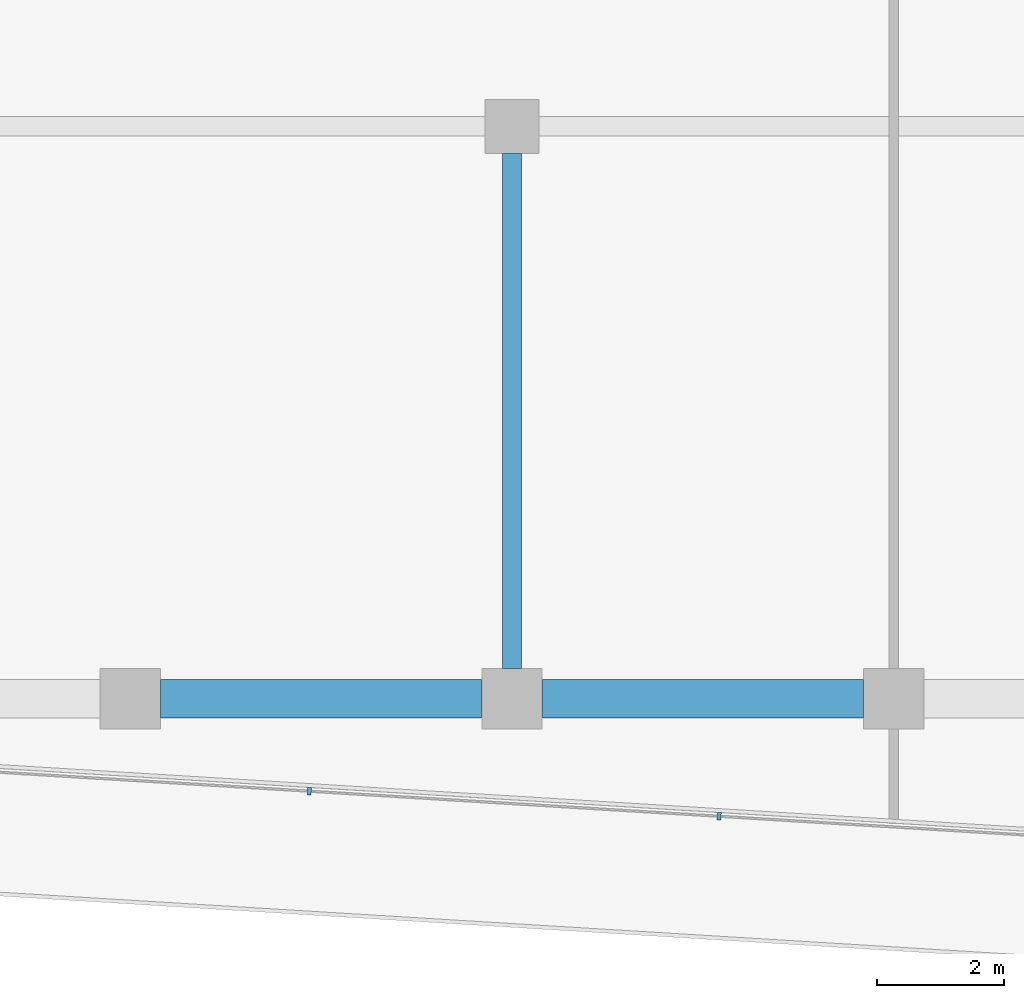
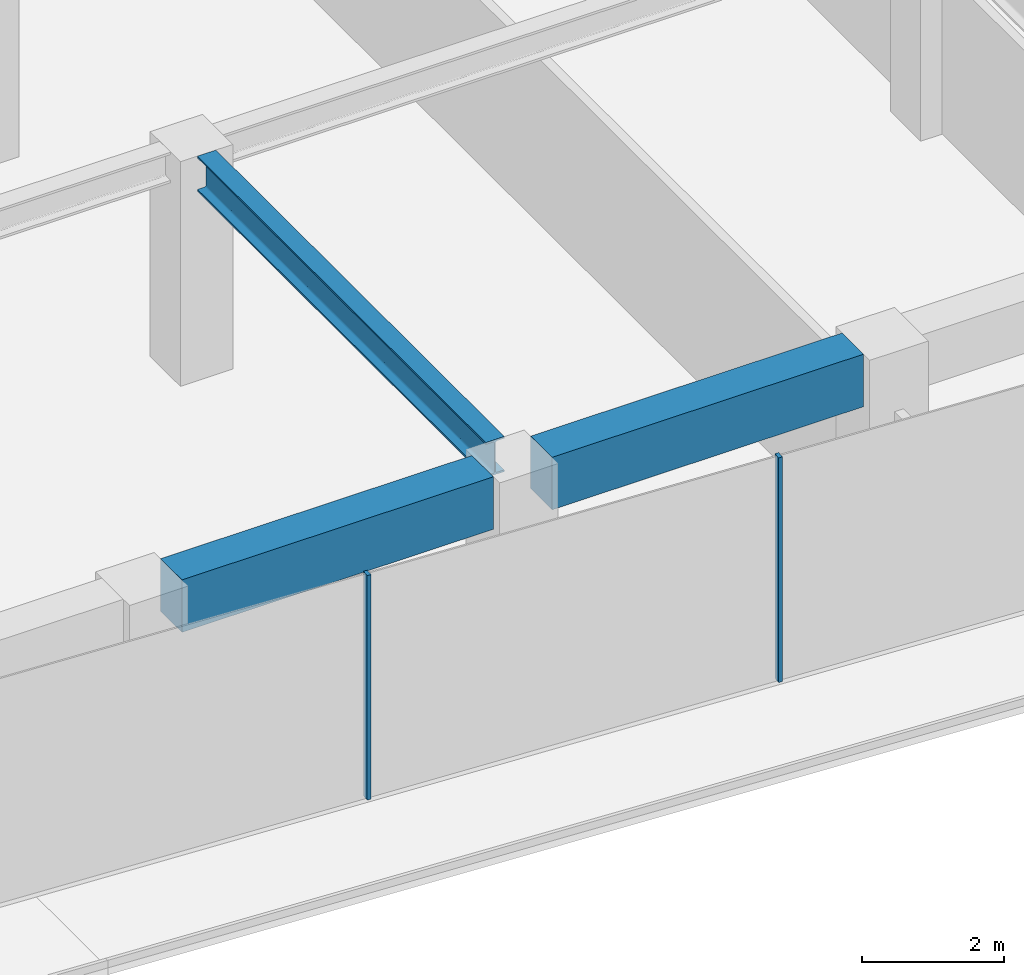
# One storey, part 6 of 27: 3 beams, 2 members, 1 element without a shape of its own.
"""IFC4 building model written with IfcOpenShell, lengths in metres."""

from ifc_helpers import new_model, si_unit, direction, frame, origin, origin_2d, place, context, subcontext, project, spatial, rectangle, i_section, extrude, material, layer, layer_set, material_profile, profile_set, type_object, element, aggregate, save


model = new_model("IFC4")

# Units and contexts
model_context = context("Model", 3, precision=1e-05, world=origin(), true_north=direction((0.0, 1.0)))
body_context = subcontext(model_context, "Body", "Model", "MODEL_VIEW")
ifc_project = project(units=[si_unit("LENGTHUNIT", "METRE"), si_unit("AREAUNIT", "SQUARE_METRE"), si_unit("VOLUMEUNIT", "CUBIC_METRE"), si_unit("PLANEANGLEUNIT", "RADIAN"), si_unit("MASSUNIT", "GRAM", prefix="KILO")], contexts=[model_context])

# Site, building, storey
site_placement = place(None, origin())
site = spatial("IfcSite", under=ifc_project, at=site_placement, CompositionType="ELEMENT")
building_placement = place(site_placement, origin())
building = spatial("IfcBuilding", under=site, at=building_placement, Name="Welwitschia Terrace Campus", CompositionType="ELEMENT")
storey_placement = place(building_placement, frame((0.0, 0.0, 37.39990234375)))
storey = spatial("IfcBuildingStorey", under=building, at=storey_placement, Name="L08", CompositionType="ELEMENT", Elevation=37.39990234375)

# Curtain wall, members
ifc_material_1 = material(Name="Bronze anodised aluminium", Category="aluminium")
ifc_layer = layer(ifc_material_1, 0.1201171875)
ifc_layer_set = layer_set([ifc_layer], Name="Bronze anodised aluminium")
curtain_wall_type = type_object("IfcCurtainWallType", Name="Curtain wall CW2 tower 6000", PredefinedType="NOTDEFINED", material=ifc_layer_set)
curtain_wall_placement = place(storey_placement, origin())
curtain_wall = element("IfcCurtainWall", 1, at=curtain_wall_placement, inside=storey, type_object=curtain_wall_type, Name="CW L08.4.0", PredefinedType="NOTDEFINED")
ifc_material_2 = material(Name="Bronze anodised aluminium", Category="aluminium")
ifc_material_profile_1 = material_profile(ifc_material_2, rectangle(XDim=0.1201171875, YDim=0.06005859375, at=origin_2d()))
ifc_profile_set_1 = profile_set([ifc_material_profile_1], Name="Bronze anodised aluminium")
member_type = type_object("IfcMemberType", Name="Mullion 60x120", PredefinedType="MULLION", material=ifc_profile_set_1)
member_1_placement = place(storey_placement, frame((32.814697265625, -5.4521484375, 0.0), z_axis=(0.0, 0.0, 1.0), x_axis=(0.061048539535, 0.998134798422, 0.0)))
member_1 = element("IfcMember", 2, at=member_1_placement, type_object=member_type, Name="Mullion L08.4.0.1", PredefinedType="MULLION", context=body_context, shape_type="SweptSolid", body=[
    extrude(rectangle(XDim=0.1201171875, YDim=0.06005859375, at=origin_2d()), origin(), (0.0, 0.0, 1.0), 3.85009765625),
])
member_2_placement = place(storey_placement, frame((39.257080078125, -5.84619140625, 0.0), z_axis=(0.0, 0.0, 1.0), x_axis=(0.061048539535, 0.998134798422, 0.0)))
member_2 = element("IfcMember", 3, at=member_2_placement, type_object=member_type, Name="Mullion L08.4.0.2", PredefinedType="MULLION", context=body_context, shape_type="SweptSolid", body=[
    extrude(rectangle(XDim=0.1201171875, YDim=0.06005859375, at=origin_2d()), origin(), (0.0, 0.0, 1.0), 3.85009765625),
])
aggregate(curtain_wall, [member_1, member_2])

# Beams
ifc_material_3 = material(Name="Steel S355", Category="steel")
ifc_material_profile_2 = material_profile(ifc_material_3, i_section(OverallWidth=0.300048828125, OverallDepth=0.60009765625, WebThickness=0.015380859375, FlangeThickness=0.030029296875, FilletRadius=0.027099609375, at=origin_2d()))
ifc_profile_set_2 = profile_set([ifc_material_profile_2], Name="Steel S355")
beam_type_1 = type_object("IfcBeamType", Name="Primary beam HE 600 B", PredefinedType="BEAM", material=ifc_profile_set_2)
beam_placement = place(storey_placement, frame((36.0, -3.5244140625, 3.550048828125), z_axis=(0.0, 1.0, 0.0), x_axis=(-1.0, 0.0, 0.0)))
element("IfcBeam", 4, at=beam_placement, inside=storey, type_object=beam_type_1, Name="Primary beam PB2", PredefinedType="BEAM", context=body_context, shape_type="SweptSolid", body=[
    extrude(i_section(OverallWidth=0.300048828125, OverallDepth=0.60009765625, WebThickness=0.015380859375, FlangeThickness=0.030029296875, FilletRadius=0.027099609375, at=origin_2d()), origin(), (0.0, 0.0, 1.0), 8.098876953125),
])
ifc_material_4 = material(Name="Concrete C60/75", Category="concrete")
ifc_material_profile_3 = material_profile(ifc_material_4, rectangle(XDim=0.60009765625, YDim=0.89990234375, at=origin_2d()))
ifc_profile_set_3 = profile_set([ifc_material_profile_3], Name="Concrete C60/75")
beam_type_2 = type_object("IfcBeamType", Name="Ring spandrel 600x900", PredefinedType="SPANDREL", material=ifc_profile_set_3)
for number, where, z_axis, x_axis, name in (
    (5, (30.4755859375, -4.0, 3.400146484375), (1.0, 0.0, 0.0), (0.0, 1.0, 0.0), "Spandrel SP2"),
    (6, (36.4755859375, -4.0, 3.400146484375), (1.0, 0.0, 0.0), (0.0, 1.0, 0.0), "Spandrel SP2"),
):
    element("IfcBeam", number, at=place(storey_placement, frame(where, z_axis=z_axis, x_axis=x_axis)), inside=storey, type_object=beam_type_2, Name=name, PredefinedType="SPANDREL", context=body_context, shape_type="SweptSolid", body=[
        extrude(rectangle(XDim=0.60009765625, YDim=0.89990234375, at=origin_2d()), origin(), (0.0, 0.0, 1.0), 5.048828125),
    ])

save(model, "model.ifc")
